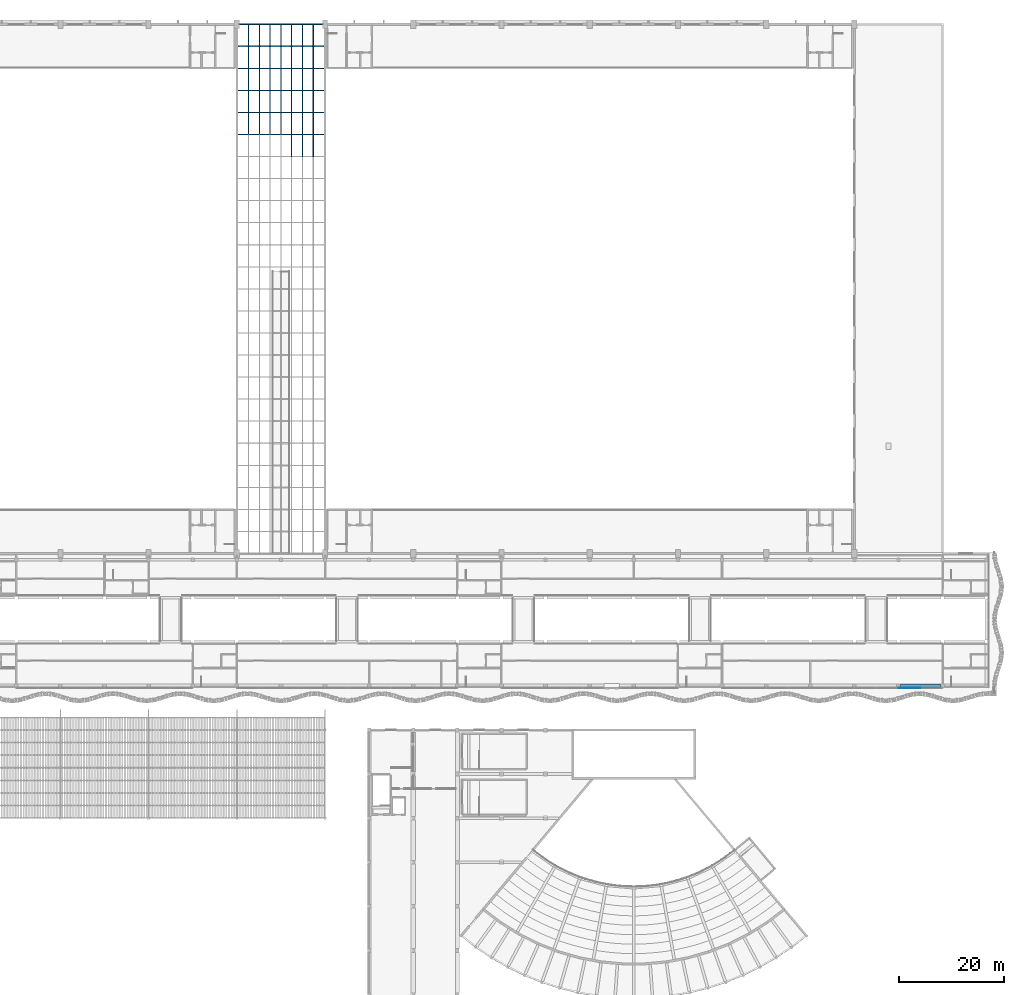
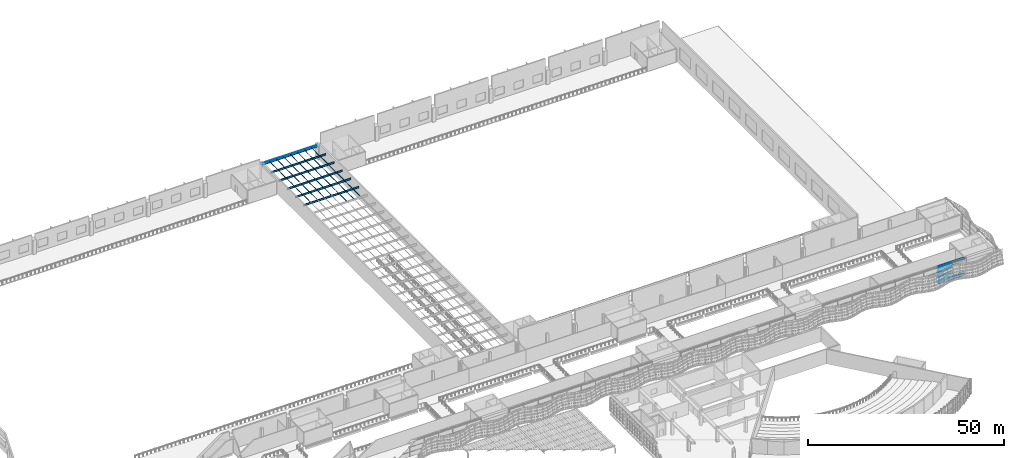
# One storey, part 56 of 162: 43 members, 8 beams, 1 element without a shape of its own.
"""IFC4 building model written with IfcOpenShell, lengths in metres."""

from ifc_helpers import new_model, si_unit, direction, frame, origin, origin_2d, place, context, subcontext, project, spatial, rectangle, hollow_circle, i_section, extrude, material, layer, layer_set, material_profile, profile_set, type_object, element, aggregate, save


model = new_model("IFC4")

# Units and contexts
model_context = context("Model", 3, precision=1e-05, world=origin(), true_north=direction((0.0, 1.0)))
body_context = subcontext(model_context, "Body", "Model", "MODEL_VIEW")
ifc_project = project(units=[si_unit("LENGTHUNIT", "METRE"), si_unit("AREAUNIT", "SQUARE_METRE"), si_unit("VOLUMEUNIT", "CUBIC_METRE"), si_unit("PLANEANGLEUNIT", "RADIAN"), si_unit("MASSUNIT", "GRAM", prefix="KILO")], contexts=[model_context])

# Site, building, storey
site_placement = place(None, origin())
site = spatial("IfcSite", under=ifc_project, at=site_placement, CompositionType="ELEMENT")
building_placement = place(site_placement, origin())
building = spatial("IfcBuilding", under=site, at=building_placement, Name="Rain Tree Exposition and Congress Centre", CompositionType="ELEMENT")
storey_placement = place(building_placement, frame((0.0, 0.0, 6.0)))
storey = spatial("IfcBuildingStorey", under=building, at=storey_placement, Name="L01", CompositionType="ELEMENT", Elevation=6.0)

# Curtain wall, members
ifc_material_1 = material(Name="Aluminium curtain wall system", Category="aluminium")
ifc_layer = layer(ifc_material_1, 0.10009765625)
ifc_layer_set = layer_set([ifc_layer], Name="Aluminium curtain wall system")
curtain_wall_type = type_object("IfcCurtainWallType", Name="Concourse curtain wall 4200 module", PredefinedType="NOTDEFINED", material=ifc_layer_set)
curtain_wall_placement = place(storey_placement, origin())
curtain_wall = element("IfcCurtainWall", 1, at=curtain_wall_placement, inside=storey, type_object=curtain_wall_type, Name="Concourse curtain wall CWC28", PredefinedType="NOTDEFINED")
ifc_material_2 = material(Name="Aluminium transom", Category="aluminium")
ifc_material_profile_1 = material_profile(ifc_material_2, rectangle(XDim=0.06005859375, YDim=0.1201171875, at=origin_2d()), Name="AL 60x120")
ifc_profile_set_1 = profile_set([ifc_material_profile_1], Name="Aluminium transom")
member_type_1 = type_object("IfcMemberType", Name="Concourse curtain wall transom 60x120", PredefinedType="USERDEFINED", material=ifc_profile_set_1)
member_1_placement = place(storey_placement, frame((252.030029296875, 75.199951171875, 0.030029296875), z_axis=(1.0, 0.0, 0.0), x_axis=(0.0, 1.0, 0.0)))
member_1 = element("IfcMember", 2, at=member_1_placement, type_object=member_type_1, Name="CWC28 transom 9.1", ObjectType="TRANSOM", PredefinedType="USERDEFINED", context=body_context, shape_type="SweptSolid", body=[
    extrude(rectangle(XDim=0.06005859375, YDim=0.1201171875, at=origin_2d()), origin(), (0.0, 0.0, 1.0), 4.139892578125),
])
member_2_placement = place(storey_placement, frame((252.030029296875, 75.199951171875, 1.5), z_axis=(1.0, 0.0, 0.0), x_axis=(0.0, 1.0, 0.0)))
member_2 = element("IfcMember", 3, at=member_2_placement, type_object=member_type_1, Name="CWC28 transom 9.2", ObjectType="TRANSOM", PredefinedType="USERDEFINED", context=body_context, shape_type="SweptSolid", body=[
    extrude(rectangle(XDim=0.06005859375, YDim=0.1201171875, at=origin_2d()), origin(), (0.0, 0.0, 1.0), 4.139892578125),
])
member_3_placement = place(storey_placement, frame((252.030029296875, 75.199951171875, 3.0), z_axis=(1.0, 0.0, 0.0), x_axis=(0.0, 1.0, 0.0)))
member_3 = element("IfcMember", 4, at=member_3_placement, type_object=member_type_1, Name="CWC28 transom 9.3", ObjectType="TRANSOM", PredefinedType="USERDEFINED", context=body_context, shape_type="SweptSolid", body=[
    extrude(rectangle(XDim=0.06005859375, YDim=0.1201171875, at=origin_2d()), origin(), (0.0, 0.0, 1.0), 4.139892578125),
])
member_4_placement = place(storey_placement, frame((252.030029296875, 75.199951171875, 4.469970703125), z_axis=(1.0, 0.0, 0.0), x_axis=(0.0, 1.0, 0.0)))
member_4 = element("IfcMember", 5, at=member_4_placement, type_object=member_type_1, Name="CWC28 transom 9.4", ObjectType="TRANSOM", PredefinedType="USERDEFINED", context=body_context, shape_type="SweptSolid", body=[
    extrude(rectangle(XDim=0.06005859375, YDim=0.1201171875, at=origin_2d()), origin(), (0.0, 0.0, 1.0), 4.139892578125),
])
aggregate(curtain_wall, [member_1, member_2, member_3, member_4])

# Beams
ifc_material_3 = material(Name="Precast concrete C50/60", Category="concrete")
ifc_material_profile_2 = material_profile(ifc_material_3, rectangle(XDim=0.699951171875, YDim=0.89990234375, at=origin_2d()), Name="RC 700x900")
ifc_profile_set_2 = profile_set([ifc_material_profile_2], Name="Precast concrete C50/60")
beam_type_1 = type_object("IfcBeamType", Name="Precast beam 700x900", PredefinedType="BEAM", material=ifc_profile_set_2)
for number, where, z_axis, x_axis, name in (
    (6, (252.35009765625, 75.60009765625, -0.449951171875), (1.0, 0.0, 0.0), (0.0, 1.0, 0.0), "Concourse edge beam 31"),
    (7, (252.35009765625, 75.60009765625, 4.050048828125), (1.0, 0.0, 0.0), (0.0, 1.0, 0.0), "Concourse roof edge beam 31"),
):
    element("IfcBeam", number, at=place(storey_placement, frame(where, z_axis=z_axis, x_axis=x_axis)), inside=storey, type_object=beam_type_1, Name=name, PredefinedType="BEAM", context=body_context, shape_type="SweptSolid", body=[
        extrude(rectangle(XDim=0.699951171875, YDim=0.89990234375, at=origin_2d()), origin(), (0.0, 0.0, 1.0), 7.699951171875),
    ])

# Members
ifc_material_4 = material(Name="Steel S355J2H", Category="steel")
ifc_material_profile_3 = material_profile(ifc_material_4, hollow_circle(Radius=0.05712890625, WallThickness=0.00439453125, at=origin_2d()), Name="CHS 114x4.5")
ifc_profile_set_3 = profile_set([ifc_material_profile_3], Name="Steel S355J2H")
member_type_2 = type_object("IfcMemberType", Name="Steel purlin member CHS 114x4.5", PredefinedType="PURLIN", material=ifc_profile_set_3)
for number, where, z_axis, x_axis, name in (
    (8, (128.25, 180.60009765625, 4.257080078125), (0.0, 1.0, 0.0), (-1.0, 0.0, 0.0), "Link roof purlin 20"),
    (9, (128.25, 184.800048828125, 4.257080078125), (0.0, 1.0, 0.0), (-1.0, 0.0, 0.0), "Link roof purlin 21"),
    (10, (128.25, 189.0, 4.257080078125), (0.0, 1.0, 0.0), (-1.0, 0.0, 0.0), "Link roof purlin 22"),
    (11, (128.25, 193.199951171875, 4.257080078125), (0.0, 1.0, 0.0), (-1.0, 0.0, 0.0), "Link roof purlin 23"),
):
    element("IfcMember", number, at=place(storey_placement, frame(where, z_axis=z_axis, x_axis=x_axis)), inside=storey, type_object=member_type_2, Name=name, PredefinedType="PURLIN", context=body_context, shape_type="SweptSolid", body=[
        extrude(hollow_circle(Radius=0.05712890625, WallThickness=0.00439453125, at=origin_2d()), origin(), (0.0, 0.0, 1.0), 4.199951171875),
    ])
member_5_placement = place(storey_placement, frame((128.25, 197.39990234375, 4.257080078125), z_axis=(0.0, 1.0, 0.0), x_axis=(-1.0, 0.0, 0.0)))
element("IfcMember", 12, at=member_5_placement, inside=storey, type_object=member_type_2, Name="Link roof purlin 24", PredefinedType="PURLIN", context=body_context, shape_type="SweptSolid", body=[
    extrude(hollow_circle(Radius=0.05712890625, WallThickness=0.00439453125, at=origin_2d()), origin(), (0.0, 0.0, 1.0), 4.2001953125),
])
for number, where, z_axis, x_axis, name in (
    (13, (130.300048828125, 180.60009765625, 4.257080078125), (0.0, 1.0, 0.0), (-1.0, 0.0, 0.0), "Link roof purlin 44"),
    (14, (130.300048828125, 184.800048828125, 4.257080078125), (0.0, 1.0, 0.0), (-1.0, 0.0, 0.0), "Link roof purlin 45"),
    (15, (130.300048828125, 189.0, 4.257080078125), (0.0, 1.0, 0.0), (-1.0, 0.0, 0.0), "Link roof purlin 46"),
    (16, (130.300048828125, 193.199951171875, 4.257080078125), (0.0, 1.0, 0.0), (-1.0, 0.0, 0.0), "Link roof purlin 47"),
):
    element("IfcMember", number, at=place(storey_placement, frame(where, z_axis=z_axis, x_axis=x_axis)), inside=storey, type_object=member_type_2, Name=name, PredefinedType="PURLIN", context=body_context, shape_type="SweptSolid", body=[
        extrude(hollow_circle(Radius=0.05712890625, WallThickness=0.00439453125, at=origin_2d()), origin(), (0.0, 0.0, 1.0), 4.199951171875),
    ])
member_6_placement = place(storey_placement, frame((130.300048828125, 197.39990234375, 4.257080078125), z_axis=(0.0, 1.0, 0.0), x_axis=(-1.0, 0.0, 0.0)))
element("IfcMember", 17, at=member_6_placement, inside=storey, type_object=member_type_2, Name="Link roof purlin 48", PredefinedType="PURLIN", context=body_context, shape_type="SweptSolid", body=[
    extrude(hollow_circle(Radius=0.05712890625, WallThickness=0.00439453125, at=origin_2d()), origin(), (0.0, 0.0, 1.0), 4.2001953125),
])
for number, where, z_axis, x_axis, name in (
    (18, (132.35009765625, 180.60009765625, 4.257080078125), (0.0, 1.0, 0.0), (-1.0, 0.0, 0.0), "Link roof purlin 68"),
    (19, (132.35009765625, 184.800048828125, 4.257080078125), (0.0, 1.0, 0.0), (-1.0, 0.0, 0.0), "Link roof purlin 69"),
    (20, (132.35009765625, 189.0, 4.257080078125), (0.0, 1.0, 0.0), (-1.0, 0.0, 0.0), "Link roof purlin 70"),
    (21, (132.35009765625, 193.199951171875, 4.257080078125), (0.0, 1.0, 0.0), (-1.0, 0.0, 0.0), "Link roof purlin 71"),
):
    element("IfcMember", number, at=place(storey_placement, frame(where, z_axis=z_axis, x_axis=x_axis)), inside=storey, type_object=member_type_2, Name=name, PredefinedType="PURLIN", context=body_context, shape_type="SweptSolid", body=[
        extrude(hollow_circle(Radius=0.05712890625, WallThickness=0.00439453125, at=origin_2d()), origin(), (0.0, 0.0, 1.0), 4.199951171875),
    ])
member_7_placement = place(storey_placement, frame((132.35009765625, 197.39990234375, 4.257080078125), z_axis=(0.0, 1.0, 0.0), x_axis=(-1.0, 0.0, 0.0)))
element("IfcMember", 22, at=member_7_placement, inside=storey, type_object=member_type_2, Name="Link roof purlin 72", PredefinedType="PURLIN", context=body_context, shape_type="SweptSolid", body=[
    extrude(hollow_circle(Radius=0.05712890625, WallThickness=0.00439453125, at=origin_2d()), origin(), (0.0, 0.0, 1.0), 4.2001953125),
])
for number, where, z_axis, x_axis, name in (
    (23, (134.39990234375, 180.60009765625, 4.257080078125), (0.0, 1.0, 0.0), (-1.0, 0.0, 0.0), "Link roof purlin 92"),
    (24, (134.39990234375, 184.800048828125, 4.257080078125), (0.0, 1.0, 0.0), (-1.0, 0.0, 0.0), "Link roof purlin 93"),
    (25, (134.39990234375, 189.0, 4.257080078125), (0.0, 1.0, 0.0), (-1.0, 0.0, 0.0), "Link roof purlin 94"),
    (26, (134.39990234375, 193.199951171875, 4.257080078125), (0.0, 1.0, 0.0), (-1.0, 0.0, 0.0), "Link roof purlin 95"),
):
    element("IfcMember", number, at=place(storey_placement, frame(where, z_axis=z_axis, x_axis=x_axis)), inside=storey, type_object=member_type_2, Name=name, PredefinedType="PURLIN", context=body_context, shape_type="SweptSolid", body=[
        extrude(hollow_circle(Radius=0.05712890625, WallThickness=0.00439453125, at=origin_2d()), origin(), (0.0, 0.0, 1.0), 4.199951171875),
    ])
for number, where, z_axis, x_axis, name in (
    (27, (134.39990234375, 197.39990234375, 4.257080078125), (0.0, 1.0, 0.0), (-1.0, 0.0, 0.0), "Link roof purlin 96"),
    (28, (136.449951171875, 176.39990234375, 4.257080078125), (0.0, 1.0, 0.0), (-1.0, 0.0, 0.0), "Link roof purlin 115"),
):
    element("IfcMember", number, at=place(storey_placement, frame(where, z_axis=z_axis, x_axis=x_axis)), inside=storey, type_object=member_type_2, Name=name, PredefinedType="PURLIN", context=body_context, shape_type="SweptSolid", body=[
        extrude(hollow_circle(Radius=0.05712890625, WallThickness=0.00439453125, at=origin_2d()), origin(), (0.0, 0.0, 1.0), 4.2001953125),
    ])
for number, where, z_axis, x_axis, name in (
    (29, (136.449951171875, 180.60009765625, 4.257080078125), (0.0, 1.0, 0.0), (-1.0, 0.0, 0.0), "Link roof purlin 116"),
    (30, (136.449951171875, 184.800048828125, 4.257080078125), (0.0, 1.0, 0.0), (-1.0, 0.0, 0.0), "Link roof purlin 117"),
    (31, (136.449951171875, 189.0, 4.257080078125), (0.0, 1.0, 0.0), (-1.0, 0.0, 0.0), "Link roof purlin 118"),
    (32, (136.449951171875, 193.199951171875, 4.257080078125), (0.0, 1.0, 0.0), (-1.0, 0.0, 0.0), "Link roof purlin 119"),
):
    element("IfcMember", number, at=place(storey_placement, frame(where, z_axis=z_axis, x_axis=x_axis)), inside=storey, type_object=member_type_2, Name=name, PredefinedType="PURLIN", context=body_context, shape_type="SweptSolid", body=[
        extrude(hollow_circle(Radius=0.05712890625, WallThickness=0.00439453125, at=origin_2d()), origin(), (0.0, 0.0, 1.0), 4.199951171875),
    ])
for number, where, z_axis, x_axis, name in (
    (33, (136.449951171875, 197.39990234375, 4.257080078125), (0.0, 1.0, 0.0), (-1.0, 0.0, 0.0), "Link roof purlin 120"),
    (34, (138.5, 176.39990234375, 4.257080078125), (0.0, 1.0, 0.0), (-1.0, 0.0, 0.0), "Link roof purlin 139"),
):
    element("IfcMember", number, at=place(storey_placement, frame(where, z_axis=z_axis, x_axis=x_axis)), inside=storey, type_object=member_type_2, Name=name, PredefinedType="PURLIN", context=body_context, shape_type="SweptSolid", body=[
        extrude(hollow_circle(Radius=0.05712890625, WallThickness=0.00439453125, at=origin_2d()), origin(), (0.0, 0.0, 1.0), 4.2001953125),
    ])
for number, where, z_axis, x_axis, name in (
    (35, (138.5, 180.60009765625, 4.257080078125), (0.0, 1.0, 0.0), (-1.0, 0.0, 0.0), "Link roof purlin 140"),
    (36, (138.5, 184.800048828125, 4.257080078125), (0.0, 1.0, 0.0), (-1.0, 0.0, 0.0), "Link roof purlin 141"),
    (37, (138.5, 189.0, 4.257080078125), (0.0, 1.0, 0.0), (-1.0, 0.0, 0.0), "Link roof purlin 142"),
    (38, (138.5, 193.199951171875, 4.257080078125), (0.0, 1.0, 0.0), (-1.0, 0.0, 0.0), "Link roof purlin 143"),
):
    element("IfcMember", number, at=place(storey_placement, frame(where, z_axis=z_axis, x_axis=x_axis)), inside=storey, type_object=member_type_2, Name=name, PredefinedType="PURLIN", context=body_context, shape_type="SweptSolid", body=[
        extrude(hollow_circle(Radius=0.05712890625, WallThickness=0.00439453125, at=origin_2d()), origin(), (0.0, 0.0, 1.0), 4.199951171875),
    ])
for number, where, z_axis, x_axis, name in (
    (39, (138.5, 197.39990234375, 4.257080078125), (0.0, 1.0, 0.0), (-1.0, 0.0, 0.0), "Link roof purlin 144"),
    (40, (140.550048828125, 176.39990234375, 4.257080078125), (0.0, 1.0, 0.0), (-1.0, 0.0, 0.0), "Link roof purlin 163"),
):
    element("IfcMember", number, at=place(storey_placement, frame(where, z_axis=z_axis, x_axis=x_axis)), inside=storey, type_object=member_type_2, Name=name, PredefinedType="PURLIN", context=body_context, shape_type="SweptSolid", body=[
        extrude(hollow_circle(Radius=0.05712890625, WallThickness=0.00439453125, at=origin_2d()), origin(), (0.0, 0.0, 1.0), 4.2001953125),
    ])
for number, where, z_axis, x_axis, name in (
    (41, (140.550048828125, 180.60009765625, 4.257080078125), (0.0, 1.0, 0.0), (-1.0, 0.0, 0.0), "Link roof purlin 164"),
    (42, (140.550048828125, 184.800048828125, 4.257080078125), (0.0, 1.0, 0.0), (-1.0, 0.0, 0.0), "Link roof purlin 165"),
    (43, (140.550048828125, 189.0, 4.257080078125), (0.0, 1.0, 0.0), (-1.0, 0.0, 0.0), "Link roof purlin 166"),
    (44, (140.550048828125, 193.199951171875, 4.257080078125), (0.0, 1.0, 0.0), (-1.0, 0.0, 0.0), "Link roof purlin 167"),
):
    element("IfcMember", number, at=place(storey_placement, frame(where, z_axis=z_axis, x_axis=x_axis)), inside=storey, type_object=member_type_2, Name=name, PredefinedType="PURLIN", context=body_context, shape_type="SweptSolid", body=[
        extrude(hollow_circle(Radius=0.05712890625, WallThickness=0.00439453125, at=origin_2d()), origin(), (0.0, 0.0, 1.0), 4.199951171875),
    ])
member_8_placement = place(storey_placement, frame((140.550048828125, 197.39990234375, 4.257080078125), z_axis=(0.0, 1.0, 0.0), x_axis=(-1.0, 0.0, 0.0)))
element("IfcMember", 45, at=member_8_placement, inside=storey, type_object=member_type_2, Name="Link roof purlin 168", PredefinedType="PURLIN", context=body_context, shape_type="SweptSolid", body=[
    extrude(hollow_circle(Radius=0.05712890625, WallThickness=0.00439453125, at=origin_2d()), origin(), (0.0, 0.0, 1.0), 4.2001953125),
])
member_9_placement = place(storey_placement, frame((126.199951171875, 201.60009765625, 4.257080078125), z_axis=(1.0, 0.0, 0.0), x_axis=(0.0, 1.0, 0.0)))
element("IfcMember", 46, at=member_9_placement, inside=storey, type_object=member_type_2, Name="Link roof edge purlin", PredefinedType="PURLIN", context=body_context, shape_type="SweptSolid", body=[
    extrude(hollow_circle(Radius=0.05712890625, WallThickness=0.00439453125, at=origin_2d()), origin(), (0.0, 0.0, 1.0), 16.400146484375),
])

# Beams
ifc_material_5 = material(Name="Steel S355J2", Category="steel")
ifc_material_profile_4 = material_profile(ifc_material_5, i_section(OverallWidth=0.199951171875, OverallDepth=0.60009765625, WebThickness=0.010986328125, FlangeThickness=0.01708984375, FilletRadius=0.02197265625, at=origin_2d()), Name="H 600x200x11x17")
ifc_profile_set_4 = profile_set([ifc_material_profile_4], Name="Steel S355J2")
beam_type_2 = type_object("IfcBeamType", Name="Steel roof beam H 600x200x11x17", PredefinedType="BEAM", material=ifc_profile_set_4)
for number, where, z_axis, x_axis, name in (
    (47, (126.199951171875, 180.60009765625, 3.89990234375), (1.0, 0.0, 0.0), (0.0, 1.0, 0.0), "Link roof beam 20"),
    (48, (126.199951171875, 184.800048828125, 3.89990234375), (1.0, 0.0, 0.0), (0.0, 1.0, 0.0), "Link roof beam 21"),
    (49, (126.199951171875, 189.0, 3.89990234375), (1.0, 0.0, 0.0), (0.0, 1.0, 0.0), "Link roof beam 22"),
    (50, (126.199951171875, 193.199951171875, 3.89990234375), (1.0, 0.0, 0.0), (0.0, 1.0, 0.0), "Link roof beam 23"),
    (51, (126.199951171875, 197.39990234375, 3.89990234375), (1.0, 0.0, 0.0), (0.0, 1.0, 0.0), "Link roof beam 24"),
    (52, (126.199951171875, 201.60009765625, 3.89990234375), (1.0, 0.0, 0.0), (0.0, 1.0, 0.0), "Link roof beam 25"),
):
    element("IfcBeam", number, at=place(storey_placement, frame(where, z_axis=z_axis, x_axis=x_axis)), inside=storey, type_object=beam_type_2, Name=name, PredefinedType="BEAM", context=body_context, shape_type="SweptSolid", body=[
        extrude(i_section(OverallWidth=0.199951171875, OverallDepth=0.60009765625, WebThickness=0.010986328125, FlangeThickness=0.01708984375, FilletRadius=0.02197265625, at=origin_2d()), origin(), (0.0, 0.0, 1.0), 16.400146484375),
    ])

save(model, "model.ifc")
